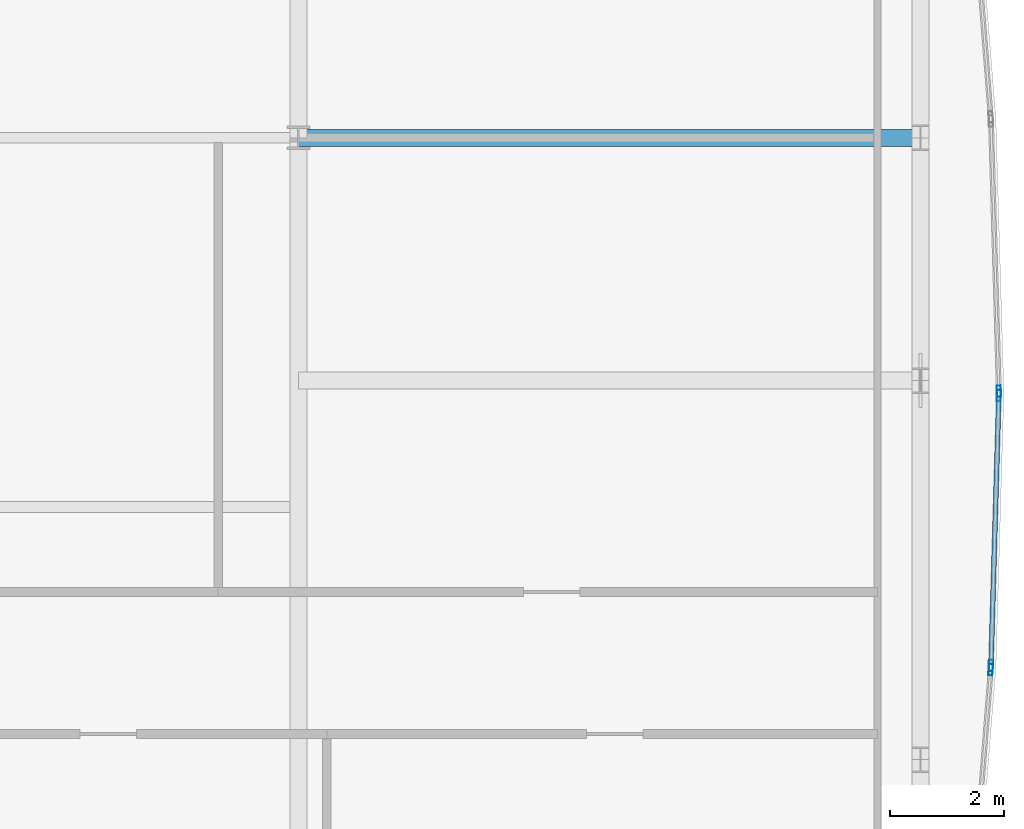
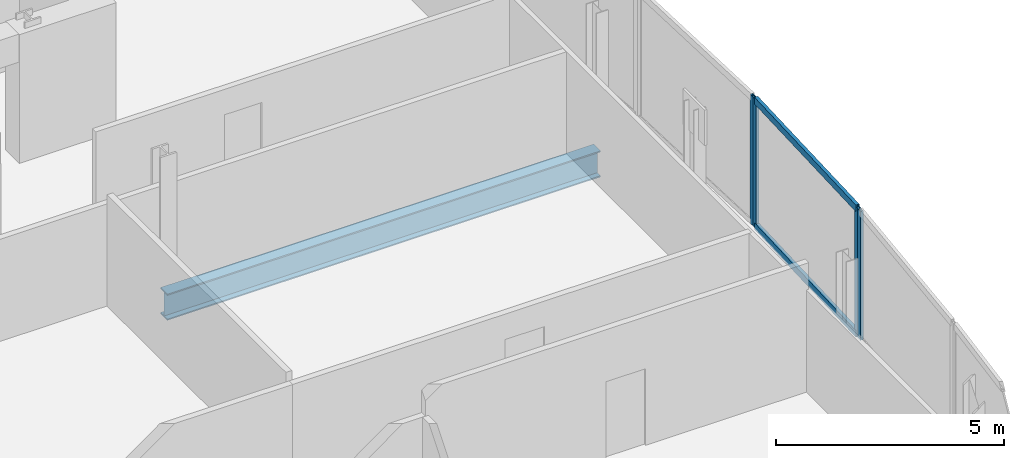
# One storey, part 20 of 32: 6 members, 1 beam, 3 elements without a shape of their own.
"""IFC4 building model written with IfcOpenShell, lengths in metres."""

from ifc_helpers import new_model, si_unit, direction, frame, origin, origin_2d, place, context, subcontext, project, spatial, hollow_rectangle, i_section, extrude, material, material_profile, profile_set, type_object, element, aggregate, save


model = new_model("IFC4")

# Units and contexts
model_context = context("Model", 3, precision=1e-05, world=origin(), true_north=direction((0.0, 1.0)))
body_context = subcontext(model_context, "Body", "Model", "MODEL_VIEW")
ifc_project = project(units=[si_unit("LENGTHUNIT", "METRE"), si_unit("AREAUNIT", "SQUARE_METRE"), si_unit("VOLUMEUNIT", "CUBIC_METRE"), si_unit("PLANEANGLEUNIT", "RADIAN"), si_unit("MASSUNIT", "GRAM", prefix="KILO")], contexts=[model_context])

# Site, building, storey
site_placement = place(None, origin())
site = spatial("IfcSite", under=ifc_project, at=site_placement, CompositionType="ELEMENT")
building_placement = place(site_placement, origin())
building = spatial("IfcBuilding", under=site, at=building_placement, Name="Khoronbel Lancet Exchange", CompositionType="ELEMENT")
storey_placement = place(building_placement, frame((0.0, 0.0, 195.800048828125)))
storey = spatial("IfcBuildingStorey", under=building, at=storey_placement, Name="L49", CompositionType="ELEMENT", Elevation=195.800048828125)

# Beam
ifc_material_1 = material(Name="Steel S355", Category="steel")
ifc_material_profile_1 = material_profile(ifc_material_1, i_section(OverallWidth=0.300048828125, OverallDepth=0.699951171875, WebThickness=0.01708984375, FlangeThickness=0.031982421875, at=origin_2d()), Name="HEB 700")
ifc_profile_set_1 = profile_set([ifc_material_profile_1], Name="Steel S355")
beam_type = type_object("IfcBeamType", Name="BM-BG3", PredefinedType="BEAM", material=ifc_profile_set_1)
beam_placement = place(storey_placement, frame((54.675048828125, 35.699951171875, -0.510009765625), z_axis=(1.0, 0.0, 0.0), x_axis=(0.0, 1.0, 0.0)))
element("IfcBeam", 1, at=beam_placement, inside=storey, type_object=beam_type, Name="Level L49 east lens tie girder LG4E", PredefinedType="BEAM", context=body_context, shape_type="SweptSolid", body=[
    extrude(i_section(OverallWidth=0.300048828125, OverallDepth=0.699951171875, WebThickness=0.01708984375, FlangeThickness=0.031982421875, at=origin_2d()), origin(), (0.0, 0.0, 1.0), 10.954833984375),
])

# Curtain wall, member
ifc_material_2 = material(Name="Low-E Solar Control Insulating Glass", Category="glass")
curtain_wall_type = type_object("IfcCurtainWallType", Name="CW-4", PredefinedType="NOTDEFINED", material=ifc_material_2)
curtain_wall_1_placement = place(storey_placement, origin())
curtain_wall_1 = element("IfcCurtainWall", 2, at=curtain_wall_1_placement, inside=storey, type_object=curtain_wall_type, Name="Unitised curtain wall CW-L49-E19", PredefinedType="NOTDEFINED")
ifc_material_3 = material(Name="Bronze-Anodised Aluminium 6063-T6", Category="aluminium")
ifc_material_profile_2 = material_profile(ifc_material_3, hollow_rectangle(XDim=0.074951171875, YDim=0.199951171875, WallThickness=0.0048828125, at=origin_2d()), Name="ALU MULLION 75x200")
ifc_profile_set_2 = profile_set([ifc_material_profile_2], Name="Bronze-Anodised Aluminium 6063-T6")
member_type_1 = type_object("IfcMemberType", Name="MEM-CWM2", PredefinedType="MULLION", material=ifc_profile_set_2)
member_1_placement = place(storey_placement, frame((67.0087890625, 31.237548828125, 0.0), z_axis=(0.0, 0.0, 1.0), x_axis=(0.999576300376, 0.029107039142, 0.0)))
member_1 = element("IfcMember", 3, at=member_1_placement, type_object=member_type_1, Name="CW4 mullion 2", PredefinedType="MULLION", context=body_context, shape_type="SweptSolid", body=[
    extrude(hollow_rectangle(XDim=0.074951171875, YDim=0.199951171875, WallThickness=0.0048828125, at=origin_2d()), origin(), (0.0, 0.0, 1.0), 3.43994140625),
])
aggregate(curtain_wall_1, [member_1])

# Curtain wall, members
curtain_wall_2_placement = place(storey_placement, origin())
curtain_wall_2 = element("IfcCurtainWall", 4, at=curtain_wall_2_placement, inside=storey, type_object=curtain_wall_type, Name="Unitised curtain wall CW-L49-E20", PredefinedType="NOTDEFINED")
member_2_placement = place(storey_placement, frame((67.0087890625, 31.16259765625, 0.0), z_axis=(0.0, 0.0, 1.0), x_axis=(0.999576300376, -0.029107039142, 0.0)))
member_2 = element("IfcMember", 5, at=member_2_placement, type_object=member_type_1, Name="CW4 mullion 1", PredefinedType="MULLION", context=body_context, shape_type="SweptSolid", body=[
    extrude(hollow_rectangle(XDim=0.074951171875, YDim=0.199951171875, WallThickness=0.0048828125, at=origin_2d()), origin(), (0.0, 0.0, 1.0), 3.43994140625),
])
member_3_placement = place(storey_placement, frame((66.87060546875, 26.4091796875, 0.0), z_axis=(0.0, 0.0, 1.0), x_axis=(0.999576300376, -0.029107039142, 0.0)))
member_3 = element("IfcMember", 6, at=member_3_placement, type_object=member_type_1, Name="CW4 mullion 2", PredefinedType="MULLION", context=body_context, shape_type="SweptSolid", body=[
    extrude(hollow_rectangle(XDim=0.074951171875, YDim=0.199951171875, WallThickness=0.0048828125, at=origin_2d()), origin(), (0.0, 0.0, 1.0), 3.43994140625),
])

# Curtain wall, member
curtain_wall_3_placement = place(storey_placement, origin())
curtain_wall_3 = element("IfcCurtainWall", 7, at=curtain_wall_3_placement, inside=storey, type_object=curtain_wall_type, Name="Unitised curtain wall CW-L49-E21", PredefinedType="NOTDEFINED")
member_4_placement = place(storey_placement, frame((66.866455078125, 26.334228515625, 0.0), z_axis=(0.0, 0.0, 1.0), x_axis=(0.996854401909, -0.079254661653, 0.0)))
member_4 = element("IfcMember", 8, at=member_4_placement, type_object=member_type_1, Name="CW4 mullion 1", PredefinedType="MULLION", context=body_context, shape_type="SweptSolid", body=[
    extrude(hollow_rectangle(XDim=0.074951171875, YDim=0.199951171875, WallThickness=0.0048828125, at=origin_2d()), origin(), (0.0, 0.0, 1.0), 3.43994140625),
])
aggregate(curtain_wall_3, [member_4])

# Member
ifc_material_profile_3 = material_profile(ifc_material_3, hollow_rectangle(XDim=0.0849609375, YDim=0.179931640625, WallThickness=0.0048828125, at=origin_2d()), Name="ALU TRANSOM 85x180")
ifc_profile_set_3 = profile_set([ifc_material_profile_3], Name="Bronze-Anodised Aluminium 6063-T6")
member_type_2 = type_object("IfcMemberType", Name="MEM-CWT1", PredefinedType="USERDEFINED", material=ifc_profile_set_3)
member_5_placement = place(storey_placement, frame((67.0078125, 31.125, 0.04248046875), z_axis=(-0.029106277096, -0.999576322566, 0.0), x_axis=(0.999576322566, -0.029106277096, 0.0)))
member_5 = element("IfcMember", 9, at=member_5_placement, type_object=member_type_2, Name="CW4 transom 1.1", ObjectType="TRANSOM", PredefinedType="USERDEFINED", context=body_context, shape_type="SweptSolid", body=[
    extrude(hollow_rectangle(XDim=0.0849609375, YDim=0.179931640625, WallThickness=0.0048828125, at=origin_2d()), origin(), (0.0, 0.0, 1.0), 4.680419921875),
])

member_6_placement = place(storey_placement, frame((67.0078125, 31.125, 3.3974609375), z_axis=(-0.029106277096, -0.999576322566, 0.0), x_axis=(0.999576322566, -0.029106277096, 0.0)))
member_6 = element("IfcMember", 10, at=member_6_placement, type_object=member_type_2, Name="CW4 transom 1.2", ObjectType="TRANSOM", PredefinedType="USERDEFINED", context=body_context, shape_type="SweptSolid", body=[
    extrude(hollow_rectangle(XDim=0.0849609375, YDim=0.179931640625, WallThickness=0.0048828125, at=origin_2d()), origin(), (0.0, 0.0, 1.0), 4.680419921875),
])

aggregate(curtain_wall_2, [member_2, member_3, member_5, member_6])

save(model, "model.ifc")
